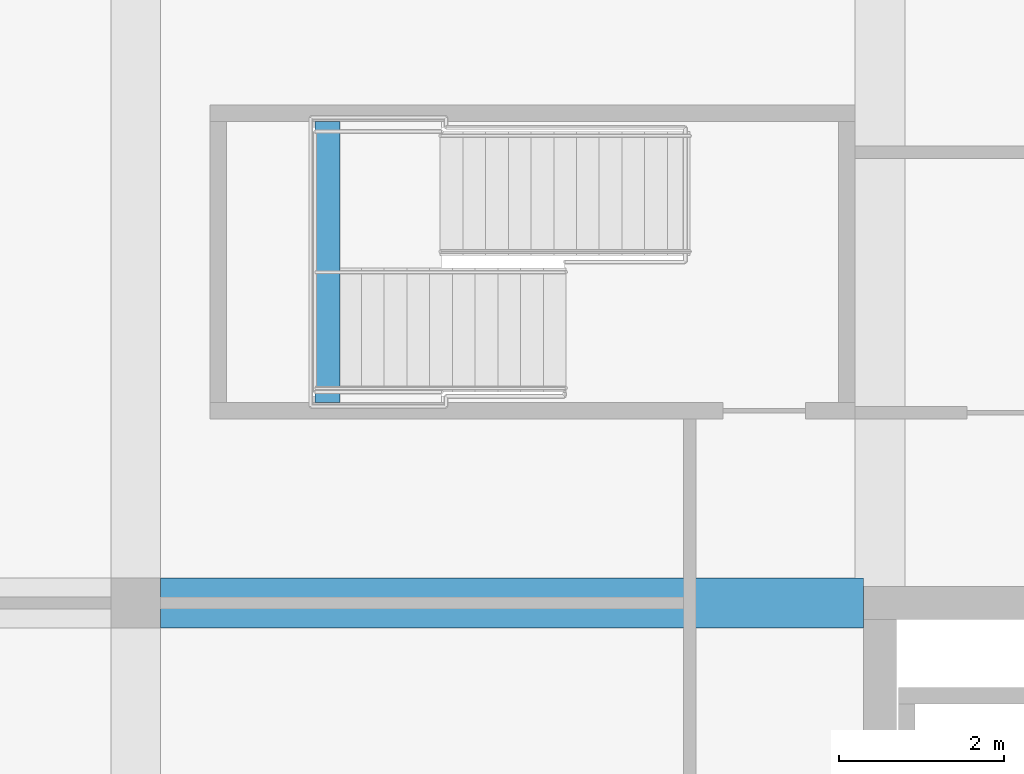
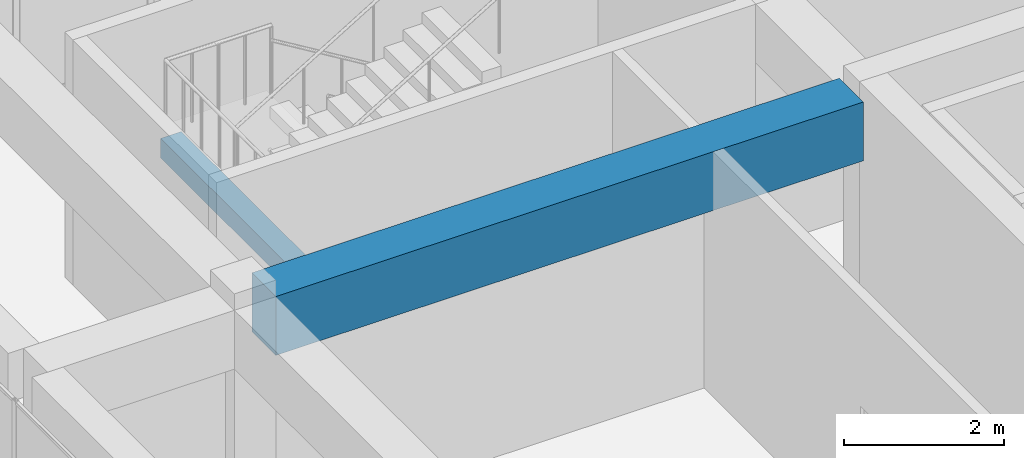
# One storey, part 10 of 32: 2 beams.
"""IFC4 building model written with IfcOpenShell, lengths in metres."""

from ifc_helpers import new_model, si_unit, direction, frame, origin, origin_2d, place, context, subcontext, project, spatial, rectangle, extrude, material, material_profile, profile_set, type_object, element, save


model = new_model("IFC4")

# Units and contexts
model_context = context("Model", 3, precision=1e-05, world=origin(), true_north=direction((0.0, 1.0)))
body_context = subcontext(model_context, "Body", "Model", "MODEL_VIEW")
ifc_project = project(units=[si_unit("LENGTHUNIT", "METRE"), si_unit("AREAUNIT", "SQUARE_METRE"), si_unit("VOLUMEUNIT", "CUBIC_METRE"), si_unit("PLANEANGLEUNIT", "RADIAN"), si_unit("MASSUNIT", "GRAM", prefix="KILO")], contexts=[model_context])

# Site, building, storey
site_placement = place(None, origin())
site = spatial("IfcSite", under=ifc_project, at=site_placement, CompositionType="ELEMENT")
building_placement = place(site_placement, origin())
building = spatial("IfcBuilding", under=site, at=building_placement, Name="Tuart Plaza Theatre", CompositionType="ELEMENT")
storey_placement = place(building_placement, frame((0.0, 0.0, 41.5)))
storey = spatial("IfcBuildingStorey", under=building, at=storey_placement, Name="L10", CompositionType="ELEMENT", Elevation=41.5)

# Beams
ifc_material_1 = material(Name="Concrete N40 (40 MPa)", Category="concrete")
ifc_material_profile_1 = material_profile(ifc_material_1, rectangle(XDim=0.300048828125, YDim=0.300048828125, at=origin_2d()), Name="BEAM 300x300 Concrete N40 (40 MPa)")
ifc_profile_set_1 = profile_set([ifc_material_profile_1], Name="Concrete N40 (40 MPa)")
beam_type_1 = type_object("IfcBeamType", Name="BEAM 300x300 Concrete N40 (40 MPa)", PredefinedType="BEAM", material=ifc_profile_set_1)
beam_1_placement = place(storey_placement, frame((116.320068359375, 88.824951171875, 1.64990234375), z_axis=(0.0, -1.0, 0.0), x_axis=(1.0, 0.0, 0.0)))
element("IfcBeam", 1, at=beam_1_placement, inside=storey, type_object=beam_type_1, Name="RB538", PredefinedType="BEAM", context=body_context, shape_type="SweptSolid", body=[
    extrude(rectangle(XDim=0.300048828125, YDim=0.300048828125, at=origin_2d()), origin(), (0.0, 0.0, 1.0), 3.39990234375),
])
ifc_material_2 = material(Name="Concrete N40 (40 MPa)", Category="concrete")
ifc_material_profile_2 = material_profile(ifc_material_2, rectangle(XDim=0.60009765625, YDim=0.89990234375, at=origin_2d()), Name="BEAM 600x900 Concrete N40 (40 MPa)")
ifc_profile_set_2 = profile_set([ifc_material_profile_2], Name="Concrete N40 (40 MPa)")
beam_type_2 = type_object("IfcBeamType", Name="BEAM 600x900 Concrete N40 (40 MPa)", PredefinedType="BEAM", material=ifc_profile_set_2)
beam_2_placement = place(storey_placement, frame((114.300048828125, 83.0, 3.300048828125), z_axis=(1.0, 0.0, 0.0), x_axis=(0.0, 1.0, 0.0)))
element("IfcBeam", 2, at=beam_2_placement, inside=storey, type_object=beam_type_2, Name="RB294", PredefinedType="BEAM", context=body_context, shape_type="SweptSolid", body=[
    extrude(rectangle(XDim=0.60009765625, YDim=0.89990234375, at=origin_2d()), origin(), (0.0, 0.0, 1.0), 8.5),
])

save(model, "model.ifc")
